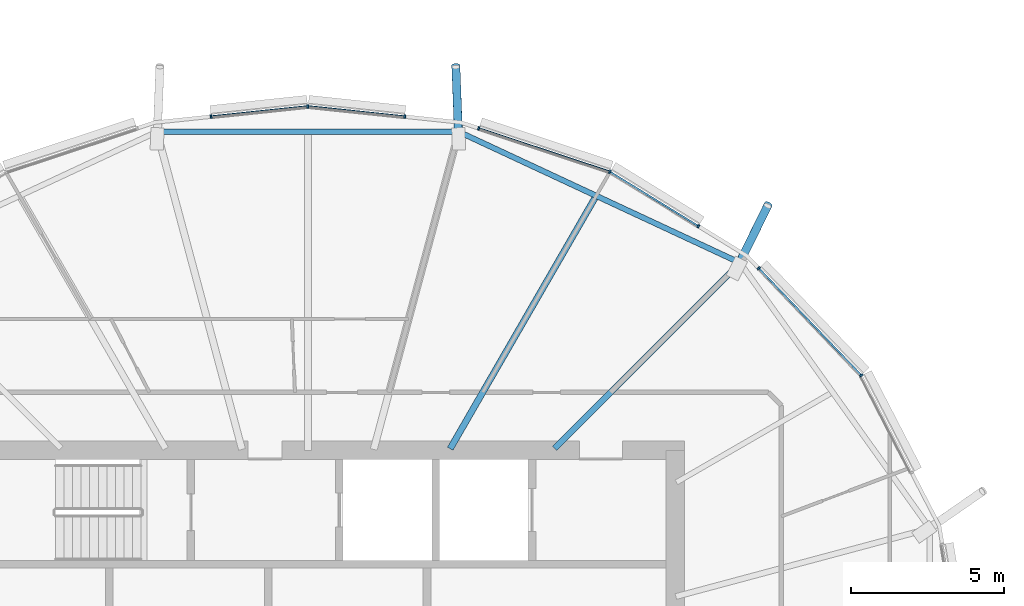
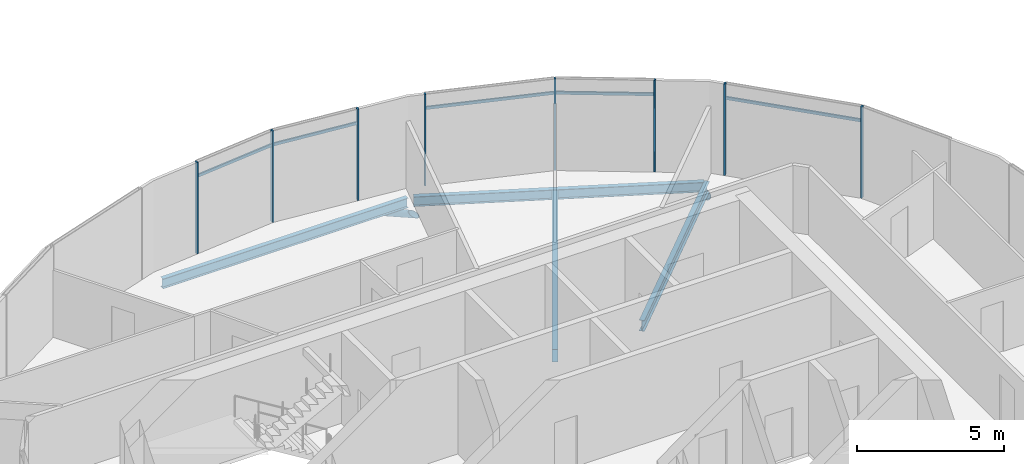
# One storey, part 10 of 35: 15 members, 4 beams, 1 element without a shape of its own.
"""IFC4 building model written with IfcOpenShell, lengths in metres."""

from ifc_helpers import new_model, si_unit, direction, frame, origin, origin_2d, place, context, subcontext, project, spatial, rectangle, hollow_circle, i_section, extrude, clip, halfspace, material, material_profile, profile_set, type_object, element, aggregate, save


model = new_model("IFC4")

# Units and contexts
model_context = context("Model", 3, precision=1e-05, world=origin(), true_north=direction((0.0, 1.0)))
body_context = subcontext(model_context, "Body", "Model", "MODEL_VIEW")
ifc_project = project(units=[si_unit("LENGTHUNIT", "METRE"), si_unit("AREAUNIT", "SQUARE_METRE"), si_unit("VOLUMEUNIT", "CUBIC_METRE"), si_unit("PLANEANGLEUNIT", "RADIAN"), si_unit("MASSUNIT", "GRAM", prefix="KILO")], contexts=[model_context])

# Site, building, storey
site_placement = place(None, origin())
site = spatial("IfcSite", under=ifc_project, at=site_placement, CompositionType="ELEMENT")
building_placement = place(site_placement, origin())
building = spatial("IfcBuilding", under=site, at=building_placement, Name="Rimbun Link Towers", CompositionType="ELEMENT")
storey_placement = place(building_placement, frame((0.0, 0.0, 196.89990234375)))
storey = spatial("IfcBuildingStorey", under=building, at=storey_placement, Name="L48", CompositionType="ELEMENT", Elevation=196.89990234375)

# Curtain wall, members
ifc_material_1 = material(Name="Aluminium 6063-T6 and low-iron glass", Category="aluminium")
curtain_wall_type = type_object("IfcCurtainWallType", Name="CW1-Z3 unitised vision wall (zone 3)", PredefinedType="NOTDEFINED", material=ifc_material_1)
curtain_wall_placement = place(storey_placement, origin())
curtain_wall = element("IfcCurtainWall", 1, at=curtain_wall_placement, inside=storey, type_object=curtain_wall_type, Name="CW1 L48 T1", PredefinedType="NOTDEFINED")
ifc_material_2 = material(Name="Aluminium 6063-T6", Category="aluminium")
ifc_material_profile_1 = material_profile(ifc_material_2, rectangle(XDim=0.1201171875, YDim=0.06005859375, at=origin_2d()), Name="MULLION 60X120")
ifc_profile_set_1 = profile_set([ifc_material_profile_1], Name="Aluminium 6063-T6")
member_type_1 = type_object("IfcMemberType", Name="CW1 mullion 60X120", PredefinedType="MULLION", material=ifc_profile_set_1)
member_1_placement = place(storey_placement, frame((-13.660888671875, 10.450439453125, 0.0), z_axis=(0.0, 0.0, 1.0), x_axis=(0.813350615069, 0.581773819423, 0.0)))
member_1 = element("IfcMember", 2, at=member_1_placement, type_object=member_type_1, Name="CW1 mullion", PredefinedType="MULLION", context=body_context, shape_type="SweptSolid", body=[
    extrude(rectangle(XDim=0.1201171875, YDim=0.06005859375, at=origin_2d()), origin(), (0.0, 0.0, 1.0), 3.800048828125),
])
member_2_placement = place(storey_placement, frame((-17.017578125, 13.952880859375, 0.0), z_axis=(0.0, 0.0, 1.0), x_axis=(0.721858505917, 0.692040676143, 0.0)))
member_2 = element("IfcMember", 3, at=member_2_placement, type_object=member_type_1, Name="CW1 mullion", PredefinedType="MULLION", context=body_context, shape_type="SweptSolid", body=[
    extrude(rectangle(XDim=0.1201171875, YDim=0.06005859375, at=origin_2d()), origin(), (0.0, 0.0, 1.0), 3.800048828125),
])
member_3_placement = place(storey_placement, frame((-21.881103515625, 17.10400390625, 0.0), z_axis=(0.0, 0.0, 1.0), x_axis=(0.421694621362, 0.906737914899, 0.0)))
member_3 = element("IfcMember", 4, at=member_3_placement, type_object=member_type_1, Name="CW1 mullion", PredefinedType="MULLION", context=body_context, shape_type="SweptSolid", body=[
    extrude(rectangle(XDim=0.1201171875, YDim=0.06005859375, at=origin_2d()), origin(), (0.0, 0.0, 1.0), 3.800048828125),
])
member_4_placement = place(storey_placement, frame((-18.98681640625, 15.327392578125, 0.0), z_axis=(0.0, 0.0, 1.0), x_axis=(0.523229231966, 0.852191980023, 0.0)))
member_4 = element("IfcMember", 5, at=member_4_placement, type_object=member_type_1, Name="CW1 mullion", PredefinedType="MULLION", context=body_context, shape_type="SweptSolid", body=[
    extrude(rectangle(XDim=0.1201171875, YDim=0.06005859375, at=origin_2d()), origin(), (0.0, 0.0, 1.0), 3.800048828125),
])
member_5_placement = place(storey_placement, frame((-26.162841796875, 18.5234375, 0.0), z_axis=(0.0, 0.0, 1.0), x_axis=(0.314557993327, 0.949238257149, 0.0)))
member_5 = element("IfcMember", 6, at=member_5_placement, type_object=member_type_1, Name="CW1 mullion", PredefinedType="MULLION", context=body_context, shape_type="SweptSolid", body=[
    extrude(rectangle(XDim=0.1201171875, YDim=0.06005859375, at=origin_2d()), origin(), (0.0, 0.0, 1.0), 3.800048828125),
])
member_6_placement = place(storey_placement, frame((-31.75, 19.24169921875, 0.0), z_axis=(0.0, 0.0, 1.0), x_axis=(0.0, 1.0, 0.0)))
member_6 = element("IfcMember", 7, at=member_6_placement, type_object=member_type_1, Name="CW1 mullion", PredefinedType="MULLION", context=body_context, shape_type="SweptSolid", body=[
    extrude(rectangle(XDim=0.1201171875, YDim=0.06005859375, at=origin_2d()), origin(), (0.0, 0.0, 1.0), 3.800048828125),
])
member_7_placement = place(storey_placement, frame((-28.584716796875, 18.90869140625, 0.0), z_axis=(0.0, 0.0, 1.0), x_axis=(0.104747958219, 0.994498801029, 0.0)))
member_7 = element("IfcMember", 8, at=member_7_placement, type_object=member_type_1, Name="CW1 mullion", PredefinedType="MULLION", context=body_context, shape_type="SweptSolid", body=[
    extrude(rectangle(XDim=0.1201171875, YDim=0.06005859375, at=origin_2d()), origin(), (0.0, 0.0, 1.0), 3.800048828125),
])
member_8_placement = place(storey_placement, frame((-34.915283203125, 18.90869140625, 0.0), z_axis=(0.0, 0.0, 1.0), x_axis=(-0.104747958219, 0.994498801029, 0.0)))
member_8 = element("IfcMember", 9, at=member_8_placement, type_object=member_type_1, Name="CW1 mullion", PredefinedType="MULLION", context=body_context, shape_type="SweptSolid", body=[
    extrude(rectangle(XDim=0.1201171875, YDim=0.06005859375, at=origin_2d()), origin(), (0.0, 0.0, 1.0), 3.800048828125),
])
ifc_material_3 = material(Name="Aluminium 6063-T6", Category="aluminium")
ifc_material_profile_2 = material_profile(ifc_material_3, rectangle(XDim=0.06005859375, YDim=0.1201171875, at=origin_2d()), Name="TRANSOM 60X120")
ifc_profile_set_2 = profile_set([ifc_material_profile_2], Name="Aluminium 6063-T6")
member_type_2 = type_object("IfcMemberType", Name="CW1 transom 60X120", PredefinedType="USERDEFINED", material=ifc_profile_set_2)
member_9_placement = place(storey_placement, frame((-16.998291015625, 13.929931640625, 3.2001953125), z_axis=(0.692018439281, -0.721879823582, 0.0), x_axis=(0.721879823582, 0.692018439281, 0.0)))
member_9 = element("IfcMember", 10, at=member_9_placement, type_object=member_type_2, Name="CW1 transom", ObjectType="TRANSOM", PredefinedType="USERDEFINED", context=body_context, shape_type="SweptSolid", body=[
    extrude(rectangle(XDim=0.06005859375, YDim=0.1201171875, at=origin_2d()), origin(), (0.0, 0.0, 1.0), 4.782958984375),
])
member_10_placement = place(storey_placement, frame((-21.8505859375, 17.08349609375, 3.2001953125), z_axis=(0.852194171963, -0.523225661901, 0.0), x_axis=(0.523225661901, 0.852194171963, 0.0)))
member_10 = element("IfcMember", 11, at=member_10_placement, type_object=member_type_2, Name="CW1 transom", ObjectType="TRANSOM", PredefinedType="USERDEFINED", context=body_context, shape_type="SweptSolid", body=[
    extrude(rectangle(XDim=0.06005859375, YDim=0.1201171875, at=origin_2d()), origin(), (0.0, 0.0, 1.0), 3.329345703125),
])
member_11_placement = place(storey_placement, frame((-26.135009765625, 18.511962890625, 3.2001953125), z_axis=(0.949247657744, -0.314529623833, 0.0), x_axis=(0.314529623833, 0.949247657744, 0.0)))
member_11 = element("IfcMember", 12, at=member_11_placement, type_object=member_type_2, Name="CW1 transom", ObjectType="TRANSOM", PredefinedType="USERDEFINED", context=body_context, shape_type="SweptSolid", body=[
    extrude(rectangle(XDim=0.06005859375, YDim=0.1201171875, at=origin_2d()), origin(), (0.0, 0.0, 1.0), 4.44384765625),
])
member_12_placement = place(storey_placement, frame((-31.714111328125, 19.236328125, 3.2001953125), z_axis=(0.994499011805, -0.104745957049, 0.0), x_axis=(0.104745957049, 0.994499011805, 0.0)))
member_12 = element("IfcMember", 13, at=member_12_placement, type_object=member_type_2, Name="CW1 transom", ObjectType="TRANSOM", PredefinedType="USERDEFINED", context=body_context, shape_type="SweptSolid", body=[
    extrude(rectangle(XDim=0.06005859375, YDim=0.1201171875, at=origin_2d()), origin(), (0.0, 0.0, 1.0), 3.1162109375),
])
member_13_placement = place(storey_placement, frame((-34.885009765625, 18.909912109375, 3.2001953125), z_axis=(0.994499011805, 0.104745957049, 0.0), x_axis=(-0.104745957049, 0.994499011805, 0.0)))
member_13 = element("IfcMember", 14, at=member_13_placement, type_object=member_type_2, Name="CW1 transom", ObjectType="TRANSOM", PredefinedType="USERDEFINED", context=body_context, shape_type="SweptSolid", body=[
    extrude(rectangle(XDim=0.06005859375, YDim=0.1201171875, at=origin_2d()), origin(), (0.0, 0.0, 1.0), 3.1162109375),
])
aggregate(curtain_wall, [member_1, member_2, member_3, member_4, member_5, member_6, member_7, member_8, member_9, member_10, member_11, member_12, member_13])

# Members
ifc_material_4 = material(Name="Steel S355J2H", Category="steel")
ifc_material_profile_3 = material_profile(ifc_material_4, hollow_circle(Radius=0.136474609375, WallThickness=0.012451171875, at=origin_2d()), Name="CHS 273x12.5")
ifc_profile_set_3 = profile_set([ifc_material_profile_3], Name="Steel S355J2H")
member_type_3 = type_object("IfcMemberType", Name="Floor edge link CHS 273x12.5", PredefinedType="BRACE", material=ifc_profile_set_3)
member_14_placement = place(storey_placement, frame((-17.65869140625, 14.09130859375, -0.720458984375), z_axis=(0.379863534598, 0.77406519802, -0.506484712797), x_axis=(-0.897728209918, 0.440549726044, 0.0)))
element("IfcMember", 15, at=member_14_placement, inside=storey, type_object=member_type_3, Name="Floor edge link T1 L48 03", PredefinedType="BRACE", context=body_context, shape_type="Clipping", body=[
    clip(extrude(hollow_circle(Radius=0.136474609375, WallThickness=0.012451171875, at=origin_2d()), frame((0.0, 0.0, -0.484619140625)), (0.0, 0.0, 1.0), 3.004638671875), halfspace(frame((0.0, 0.0, -0.227294921875), z_axis=(0.0, 0.862248940679, -0.506484712797)), False)),
])
member_15_placement = place(storey_placement, frame((-26.829833984375, 18.3623046875, -0.871826171875), z_axis=(-0.033818478174, 0.876864826951, -0.479546020513), x_axis=(-0.999257102902, -0.038538841434, 0.0)))
element("IfcMember", 16, at=member_15_placement, inside=storey, type_object=member_type_3, Name="Floor edge link T1 L48 05", PredefinedType="BRACE", context=body_context, shape_type="Clipping", body=[
    clip(extrude(hollow_circle(Radius=0.136474609375, WallThickness=0.012451171875, at=origin_2d()), frame((0.0, 0.0, -0.5205078125)), (0.0, 0.0, 1.0), 3.047119140625), halfspace(frame((0.0, 0.0, -0.24462890625), z_axis=(0.0, 0.877516731584, -0.479546020513)), False)),
])

# Beams
ifc_material_5 = material(Name="Steel S355J2", Category="steel")
ifc_material_profile_4 = material_profile(ifc_material_5, i_section(OverallWidth=0.177978515625, OverallDepth=0.406494140625, WebThickness=0.0078125, FlangeThickness=0.0126953125, at=origin_2d()), Name="UB 406x178x60")
ifc_profile_set_4 = profile_set([ifc_material_profile_4], Name="Steel S355J2")
beam_type_1 = type_object("IfcBeamType", Name="UB 406x178x60", PredefinedType="BEAM", material=ifc_profile_set_4)
beam_1_placement = place(storey_placement, frame((-17.7158203125, 14.169677734375, -0.35302734375), z_axis=(-0.906412403609, 0.42239383824, 0.0), x_axis=(-0.42239383824, -0.906412403609, 0.0)))
element("IfcBeam", 17, at=beam_1_placement, inside=storey, type_object=beam_type_1, Name="Edge beam T1 L48 03-05", PredefinedType="BEAM", context=body_context, shape_type="SweptSolid", body=[
    extrude(i_section(OverallWidth=0.177978515625, OverallDepth=0.406494140625, WebThickness=0.0078125, FlangeThickness=0.0126953125, at=origin_2d()), origin(), (0.0, 0.0, 1.0), 9.924072265625),
])
beam_2_placement = place(storey_placement, frame((-26.935791015625, 18.41064453125, -0.35302734375), z_axis=(-1.0, 0.0, 0.0), x_axis=(0.0, -1.0, 0.0)))
element("IfcBeam", 18, at=beam_2_placement, inside=storey, type_object=beam_type_1, Name="Edge beam T1 L48 05-07", PredefinedType="BEAM", context=body_context, shape_type="SweptSolid", body=[
    extrude(i_section(OverallWidth=0.177978515625, OverallDepth=0.406494140625, WebThickness=0.0078125, FlangeThickness=0.0126953125, at=origin_2d()), origin(), (0.0, 0.0, 1.0), 9.62841796875),
])
ifc_material_6 = material(Name="Steel S355J2", Category="steel")
ifc_material_profile_5 = material_profile(ifc_material_6, i_section(OverallWidth=0.18994140625, OverallDepth=0.453369140625, WebThickness=0.008544921875, FlangeThickness=0.0126953125, at=origin_2d()), Name="UB 457x191x67")
ifc_profile_set_5 = profile_set([ifc_material_profile_5], Name="Steel S355J2")
beam_type_2 = type_object("IfcBeamType", Name="UB 457x191x67", PredefinedType="BEAM", material=ifc_profile_set_5)
beam_3_placement = place(storey_placement, frame((-23.68212890625, 8.06787109375, -0.376708984375), z_axis=(0.707106781187, 0.707106781187, 0.0), x_axis=(-0.707106781187, 0.707106781187, 0.0)))
element("IfcBeam", 19, at=beam_3_placement, inside=storey, type_object=beam_type_2, Name="Radial beam T1 L48 03", PredefinedType="BEAM", context=body_context, shape_type="SweptSolid", body=[
    extrude(i_section(OverallWidth=0.18994140625, OverallDepth=0.453369140625, WebThickness=0.008544921875, FlangeThickness=0.0126953125, at=origin_2d()), origin(), (0.0, 0.0, 1.0), 8.568603515625),
])
ifc_material_7 = material(Name="Steel S355J2", Category="steel")
ifc_material_profile_6 = material_profile(ifc_material_7, i_section(OverallWidth=0.209228515625, OverallDepth=0.533203125, WebThickness=0.010009765625, FlangeThickness=0.015625, at=origin_2d()), Name="UB 533x210x92")
ifc_profile_set_6 = profile_set([ifc_material_profile_6], Name="Steel S355J2")
beam_type_3 = type_object("IfcBeamType", Name="UB 533x210x92", PredefinedType="BEAM", material=ifc_profile_set_6)
beam_4_placement = place(storey_placement, frame((-27.1005859375, 8.05322265625, -0.41650390625), z_axis=(0.500007824733, 0.866020886126, 0.0), x_axis=(-0.866020886126, 0.500007824733, 0.0)))
element("IfcBeam", 20, at=beam_4_placement, inside=storey, type_object=beam_type_3, Name="Radial beam T1 L48 04", PredefinedType="BEAM", context=body_context, shape_type="SweptSolid", body=[
    extrude(i_section(OverallWidth=0.209228515625, OverallDepth=0.533203125, WebThickness=0.010009765625, FlangeThickness=0.015625, at=origin_2d()), origin(), (0.0, 0.0, 1.0), 9.454345703125),
])

save(model, "model.ifc")
